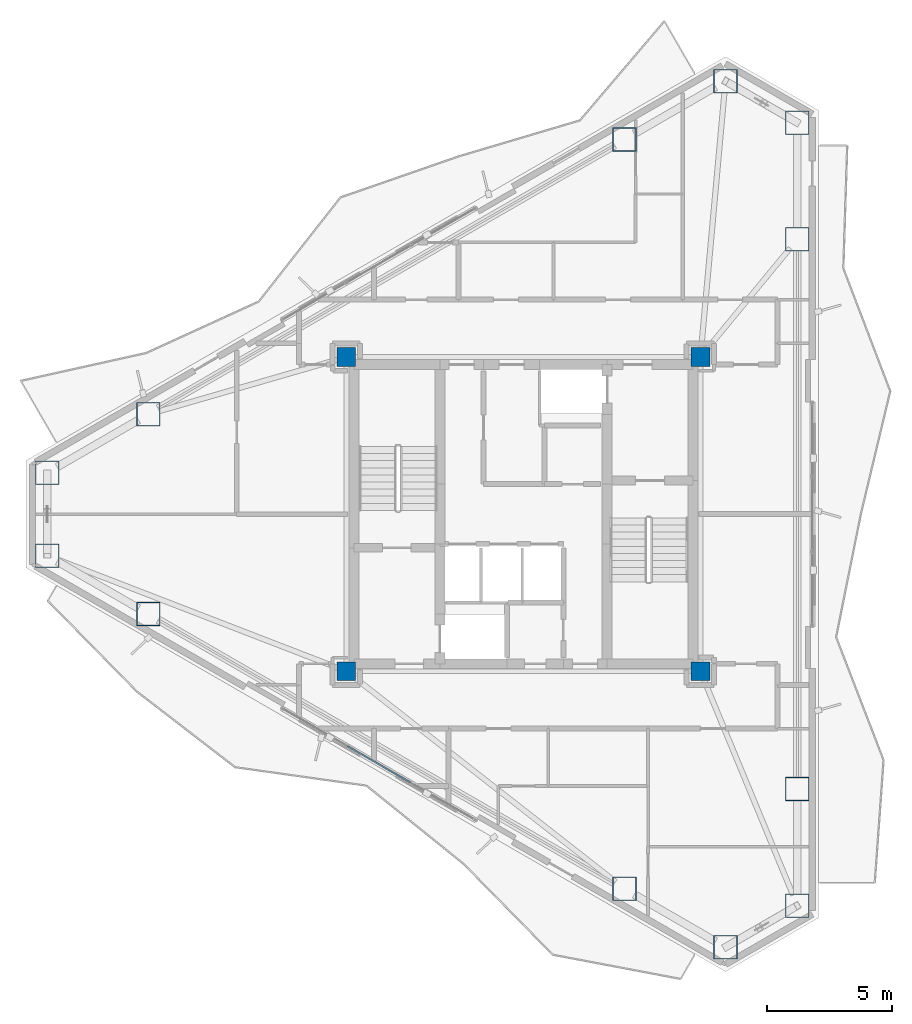
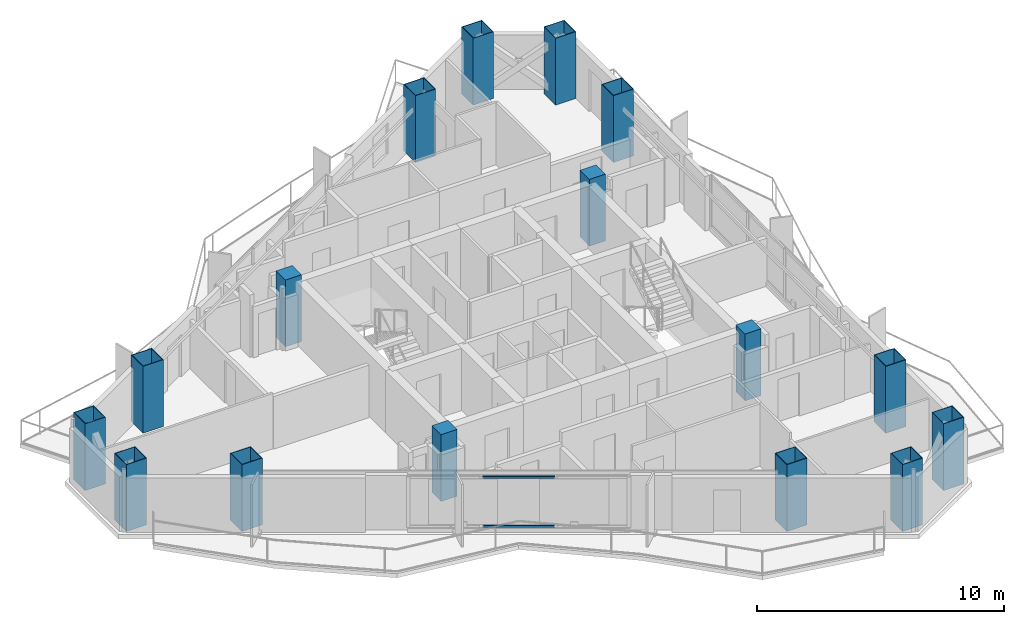
# One storey, part 1 of 21: 16 columns, 2 members, 1 element without a shape of its own.
"""IFC4 building model written with IfcOpenShell, lengths in metres."""

import ifcopenshell
import ifcopenshell.guid

model = None  # the IFC model being written
_history = None  # IfcOwnerHistory: only IFC2X3 demands one
_inside = {}  # id of a spatial element -> (the spatial element, [elements in it])
_under = {}  # id of a project, library or spatial element -> (it, [spatial elements below it])
_declared = {}  # id of a project -> (the project, [libraries it declares])
_typed = {}  # id of a type object -> (the type object, [elements of that type])
_made_of = {}  # id of a material, layer set ... -> (it, [elements and type objects made of it])


def new_model(schema):
    """Start an empty IFC model of exactly this schema.

    Asked for "IFC4X3", IfcOpenShell would pick the latest addendum, in which some entities
    have other attributes; the version numbers below select the first issue.
    IFC2X3 requires an IfcOwnerHistory on every rooted entity: one is made here for all.
    """
    global model, _history
    if schema == "IFC4X3":
        model = ifcopenshell.file(schema_version=(4, 3, 0, 0))
    else:
        model = ifcopenshell.file(schema=schema)
    _inside.clear()
    _under.clear()
    _declared.clear()
    _typed.clear()
    _made_of.clear()
    _history = None
    if model.schema == "IFC2X3":
        org = make("IfcOrganization", Name="unknown")
        user = make(
            "IfcPersonAndOrganization",
            ThePerson=make("IfcPerson", FamilyName="unknown"),
            TheOrganization=org,
        )
        app = make(
            "IfcApplication",
            ApplicationDeveloper=org,
            Version="unknown",
            ApplicationFullName="unknown",
            ApplicationIdentifier="unknown",
        )
        _history = make(
            "IfcOwnerHistory",
            OwningUser=user,
            OwningApplication=app,
            ChangeAction="ADDED",
            CreationDate=0,
        )
    return model


def make(cls, **values):
    """One entity of the class cls with the attributes given. An attribute that is None is left unset."""
    return model.create_entity(
        cls, **{name: value for name, value in values.items() if value is not None}
    )


def rooted(cls, **values):
    """An entity with a GlobalId (a new one), such as an element, a storey or a relation."""
    return make(cls, GlobalId=ifcopenshell.guid.new(), OwnerHistory=_history, **values)


def si_unit(unit_type, name, prefix=None):
    """IfcSIUnit, for example si_unit("LENGTHUNIT", "METRE", prefix="MILLI")."""
    return make("IfcSIUnit", UnitType=unit_type, Prefix=prefix, Name=name)


def assignment(units):
    """IfcUnitAssignment: the units of a project."""
    return None if units is None else make("IfcUnitAssignment", Units=units)


def point(xyz):
    """IfcCartesianPoint."""
    return None if xyz is None else make("IfcCartesianPoint", Coordinates=xyz)


def direction(xyz):
    """IfcDirection."""
    return None if xyz is None else make("IfcDirection", DirectionRatios=xyz)


def frame(location, z_axis=None, x_axis=None):
    """IfcAxis2Placement3D, a coordinate frame: its origin and axes. An axis left out is left unset."""
    return make(
        "IfcAxis2Placement3D",
        Location=point(location),
        Axis=direction(z_axis),
        RefDirection=direction(x_axis),
    )


def frame_2d(location, x_axis=None):
    """IfcAxis2Placement2D, a coordinate frame in the plane: its origin and x axis."""
    return make(
        "IfcAxis2Placement2D", Location=point(location), RefDirection=direction(x_axis)
    )


def origin():
    """The frame at (0, 0, 0) with its axes left unset."""
    return frame((0.0, 0.0, 0.0))


def origin_2d():
    """The frame at (0, 0) in the plane with its x axis left unset."""
    return frame_2d((0.0, 0.0))


def place(relative_to, where):
    """IfcLocalPlacement: puts the frame where relative to a parent placement (None: the world)."""
    return make(
        "IfcLocalPlacement", PlacementRelTo=relative_to, RelativePlacement=where
    )


def context(
    kind, dimensions, precision=None, world=None, true_north=None, identifier=None
):
    """IfcGeometricRepresentationContext, for example the 3D "Model" context."""
    return make(
        "IfcGeometricRepresentationContext",
        ContextIdentifier=identifier,
        ContextType=kind,
        CoordinateSpaceDimension=dimensions,
        Precision=precision,
        WorldCoordinateSystem=world,
        TrueNorth=true_north,
    )


def subcontext(parent, identifier, kind, view, scale=None):
    """IfcGeometricRepresentationSubContext, for example "Body" below "Model"."""
    return make(
        "IfcGeometricRepresentationSubContext",
        ContextIdentifier=identifier,
        ContextType=kind,
        ParentContext=parent,
        TargetScale=scale,
        TargetView=view,
    )


def project(units=None, contexts=None):
    """IfcProject with its units and contexts."""
    return rooted(
        "IfcProject",
        Name="project",
        RepresentationContexts=contexts,
        UnitsInContext=assignment(units),
    )


def spatial(cls, under=None, at=None, **own):
    """A site, building, storey or space (cls), placed at a placement, below another one or the project."""
    s = rooted(cls, ObjectPlacement=at, **own)
    if under is not None:
        _under.setdefault(under.id(), (under, []))[1].append(s)
    return s


def profile(cls, at=None, kind="AREA", **sizes):
    """A parametric profile (cls). Its sizes go by their IFC names, for example OverallWidth=200.0."""
    return make(cls, ProfileType=kind, Position=at, **sizes)


def rectangle(**sizes):
    """IfcRectangleProfileDef."""
    return profile("IfcRectangleProfileDef", **sizes)


def hollow_rectangle(**sizes):
    """IfcRectangleHollowProfileDef."""
    return profile("IfcRectangleHollowProfileDef", **sizes)


def extrude(swept, where, along, depth):
    """IfcExtrudedAreaSolid: the profile swept, set in the frame where, extruded along a direction by depth."""
    return make(
        "IfcExtrudedAreaSolid",
        SweptArea=swept,
        Position=where,
        ExtrudedDirection=direction(along),
        Depth=depth,
    )


def shape(context_of_items, identifier, shape_type, items):
    """IfcShapeRepresentation: the items that make up one representation, for example the "Body"."""
    return make(
        "IfcShapeRepresentation",
        ContextOfItems=context_of_items,
        RepresentationIdentifier=identifier,
        RepresentationType=shape_type,
        Items=items,
    )


def material(Name=None, Category=None):
    """IfcMaterial."""
    return make("IfcMaterial", Name=Name, Category=Category)


def layer(
    of_material, thickness, ventilated=None, Name=None, Category=None, Priority=None
):
    """IfcMaterialLayer: one layer of a wall or slab, of a material (None: an air gap)."""
    return make(
        "IfcMaterialLayer",
        Material=of_material,
        LayerThickness=thickness,
        IsVentilated=ventilated,
        Name=Name,
        Category=Category,
        Priority=Priority,
    )


def layer_set(layers, Name=None):
    """IfcMaterialLayerSet."""
    return make("IfcMaterialLayerSet", MaterialLayers=layers, LayerSetName=Name)


def material_profile(
    of_material, cross_section, Name=None, Category=None, Priority=None
):
    """IfcMaterialProfile: a cross section and its material."""
    return make(
        "IfcMaterialProfile",
        Name=Name,
        Material=of_material,
        Profile=cross_section,
        Priority=Priority,
        Category=Category,
    )


def profile_set(profiles, Name=None, composite=None):
    """IfcMaterialProfileSet."""
    return make(
        "IfcMaterialProfileSet",
        Name=Name,
        MaterialProfiles=profiles,
        CompositeProfile=composite,
    )


def made_of(thing, what):
    """Note that an element or type object is made of a material, layer set ...; save() writes the relation."""
    if what is not None:
        _made_of.setdefault(what.id(), (what, []))[1].append(thing)
    return thing


def type_object(cls, material=None, **own):
    """A type object (cls), such as IfcWallType, which elements share."""
    return made_of(rooted(cls, **own), material)


def element(
    cls,
    number,
    at=None,
    inside=None,
    cuts=None,
    type_object=None,
    material=None,
    context=None,
    identifier="Body",
    shape_type=None,
    held_by="IfcProductDefinitionShape",
    body=None,
    shapes=None,
    **own,
):
    """One element of the class cls, such as IfcWall. Its Tag is "e" and its number.

    at: its placement. inside: the storey or other place that contains it. cuts: it is an
    opening in that element (IfcRelVoidsElement). A single representation is given by context,
    identifier, shape_type and body (its items); several are given by shapes. held_by: the class
    of the entity that holds the representations. save() writes the other relations.
    """
    e = rooted(cls, Tag="e%d" % number, ObjectPlacement=at, **own)
    if body is not None:
        shapes = [shape(context, identifier, shape_type, body)]
    if shapes is not None:
        e.Representation = make(held_by, Representations=shapes)
    if inside is not None:
        _inside.setdefault(inside.id(), (inside, []))[1].append(e)
    if cuts is not None:
        rooted(
            "IfcRelVoidsElement", RelatingBuildingElement=cuts, RelatedOpeningElement=e
        )
    if type_object is not None:
        _typed.setdefault(type_object.id(), (type_object, []))[1].append(e)
    return made_of(e, material)


def aggregate(whole, parts):
    """IfcRelAggregates: a whole, such as a stair, and the parts it consists of."""
    return rooted("IfcRelAggregates", RelatingObject=whole, RelatedObjects=parts)


def save(model, path):
    """Write the relations noted so far, then the file.

    IfcRelAggregates (storeys below a building ...), IfcRelContainedInSpatialStructure (elements
    in a storey), IfcRelDefinesByType, IfcRelAssociatesMaterial and IfcRelDeclares: one each for
    every whole, place, type object, material and project.
    """
    for whole, parts in _under.values():
        aggregate(whole, parts)
    for where, things in _inside.values():
        rooted(
            "IfcRelContainedInSpatialStructure",
            RelatedElements=things,
            RelatingStructure=where,
        )
    for kind, things in _typed.values():
        rooted("IfcRelDefinesByType", RelatedObjects=things, RelatingType=kind)
    for what, things in _made_of.values():
        rooted("IfcRelAssociatesMaterial", RelatedObjects=things, RelatingMaterial=what)
    for by, libraries in _declared.values():
        rooted("IfcRelDeclares", RelatingContext=by, RelatedDefinitions=libraries)
    model.write(path)


model = new_model("IFC4")

# Units and contexts
model_context = context("Model", 3, precision=1e-05, world=origin(), true_north=direction((0.0, 1.0)))
body_context = subcontext(model_context, "Body", "Model", "MODEL_VIEW")
ifc_project = project(units=[si_unit("LENGTHUNIT", "METRE"), si_unit("AREAUNIT", "SQUARE_METRE"), si_unit("VOLUMEUNIT", "CUBIC_METRE"), si_unit("PLANEANGLEUNIT", "RADIAN"), si_unit("MASSUNIT", "GRAM", prefix="KILO")], contexts=[model_context])

# Site, building, storey
site_placement = place(None, origin())
site = spatial("IfcSite", under=ifc_project, at=site_placement, CompositionType="ELEMENT")
building_placement = place(site_placement, origin())
building = spatial("IfcBuilding", under=site, at=building_placement, Name="Mersakhor Tower and Convention Hall", CompositionType="ELEMENT")
storey_placement = place(building_placement, frame((0.0, 0.0, 182.10009765625)))
storey = spatial("IfcBuildingStorey", under=building, at=storey_placement, Name="L50", CompositionType="ELEMENT", Elevation=182.10009765625)

# Columns
ifc_material_1 = material(Name="Concrete C60/75 in S460M steel box", Category="concrete")
ifc_material_profile_1 = material_profile(ifc_material_1, hollow_rectangle(XDim=0.949951171875, YDim=0.949951171875, WallThickness=0.028076171875, at=origin_2d()), Name="SHS 950x950x28")
ifc_profile_set_1 = profile_set([ifc_material_profile_1], Name="Concrete C60/75 in S460M steel box")
column_type_1 = type_object("IfcColumnType", Name="COL-CFT-950", PredefinedType="COLUMN", material=ifc_profile_set_1)
for number, where, z_axis, x_axis, name in (
    (1, (9.907470703125, 28.415283203125, 0.0), (0.0, 0.0, 1.0), (1.0, 0.0, 0.0), "L50 Perimeter Mega-Column MC-01"),
    (2, (13.959716796875, 30.7548828125, 0.0), (0.0, 0.0, 1.0), (1.0, 0.0, 0.0), "L50 Perimeter Mega-Column MC-02"),
    (3, (33.0517578125, 41.777587890625, 0.0), (0.0, 0.0, 1.0), (1.0, 0.0, 0.0), "L50 Perimeter Mega-Column MC-03"),
    (4, (37.10400390625, 44.1171875, 0.0), (0.0, 0.0, 1.0), (1.0, 0.0, 0.0), "L50 Perimeter Mega-Column MC-04"),
    (5, (39.98828125, 42.451904296875, 0.0), (0.0, 0.0, 1.0), (1.0, 0.0, 0.0), "L50 Perimeter Mega-Column MC-05"),
    (6, (39.98828125, 37.772705078125, 0.0), (0.0, 0.0, 1.0), (1.0, 0.0, 0.0), "L50 Perimeter Mega-Column MC-06"),
    (7, (39.98828125, 15.727294921875, 0.0), (0.0, 0.0, 1.0), (1.0, 0.0, 0.0), "L50 Perimeter Mega-Column MC-07"),
    (8, (39.98828125, 11.048095703125, 0.0), (0.0, 0.0, 1.0), (1.0, 0.0, 0.0), "L50 Perimeter Mega-Column MC-08"),
    (9, (37.10400390625, 9.3828125, 0.0), (0.0, 0.0, 1.0), (1.0, 0.0, 0.0), "L50 Perimeter Mega-Column MC-09"),
    (10, (33.0517578125, 11.722412109375, 0.0), (0.0, 0.0, 1.0), (1.0, 0.0, 0.0), "L50 Perimeter Mega-Column MC-10"),
    (11, (13.959716796875, 22.7451171875, 0.0), (0.0, 0.0, 1.0), (1.0, 0.0, 0.0), "L50 Perimeter Mega-Column MC-11"),
    (12, (9.907470703125, 25.084716796875, 0.0), (0.0, 0.0, 1.0), (1.0, 0.0, 0.0), "L50 Perimeter Mega-Column MC-12"),
):
    element("IfcColumn", number, at=place(storey_placement, frame(where, z_axis=z_axis, x_axis=x_axis)), inside=storey, type_object=column_type_1, Name=name, PredefinedType="COLUMN", context=body_context, shape_type="SweptSolid", body=[
        extrude(hollow_rectangle(XDim=0.949951171875, YDim=0.949951171875, WallThickness=0.028076171875, at=origin_2d()), origin(), (0.0, 0.0, 1.0), 3.2998046875),
    ])
ifc_material_2 = material(Name="Concrete C50/60", Category="concrete")
ifc_material_profile_2 = material_profile(ifc_material_2, rectangle(XDim=0.75, YDim=0.75, at=origin_2d()), Name="RC 750x750")
ifc_profile_set_2 = profile_set([ifc_material_profile_2], Name="Concrete C50/60")
column_type_2 = type_object("IfcColumnType", Name="COL-RC-750", PredefinedType="COLUMN", material=ifc_profile_set_2)
for number, where, z_axis, x_axis, name in (
    (13, (21.89990234375, 20.449951171875, 0.0), (0.0, 0.0, 1.0), (1.0, 0.0, 0.0), "L50 Core Corner Column CC-1"),
    (14, (21.89990234375, 33.050048828125, 0.0), (0.0, 0.0, 1.0), (1.0, 0.0, 0.0), "L50 Core Corner Column CC-2"),
    (15, (36.10009765625, 33.050048828125, 0.0), (0.0, 0.0, 1.0), (1.0, 0.0, 0.0), "L50 Core Corner Column CC-3"),
    (16, (36.10009765625, 20.449951171875, 0.0), (0.0, 0.0, 1.0), (1.0, 0.0, 0.0), "L50 Core Corner Column CC-4"),
):
    element("IfcColumn", number, at=place(storey_placement, frame(where, z_axis=z_axis, x_axis=x_axis)), inside=storey, type_object=column_type_2, Name=name, PredefinedType="COLUMN", context=body_context, shape_type="SweptSolid", body=[
        extrude(rectangle(XDim=0.75, YDim=0.75, at=origin_2d()), origin(), (0.0, 0.0, 1.0), 3.2998046875),
    ])

# Curtain wall, members
ifc_material_3 = material(Name="Dark solar low-E aluminium curtain wall", Category="aluminium")
ifc_layer = layer(ifc_material_3, 0.169921875)
ifc_layer_set = layer_set([ifc_layer], Name="Dark solar low-E aluminium curtain wall")
curtain_wall_type = type_object("IfcCurtainWallType", Name="CW-SYS-02", PredefinedType="USERDEFINED", material=ifc_layer_set)
curtain_wall_placement = place(storey_placement, origin())
curtain_wall = element("IfcCurtainWall", 17, at=curtain_wall_placement, inside=storey, type_object=curtain_wall_type, Name="L50 Dark-Glass Curtain Wall F3-B2", ObjectType="CURTAIN WALL", PredefinedType="USERDEFINED")
ifc_material_4 = material(Name="Anodised aluminium EN AW-6063 T6", Category="aluminium")
ifc_material_profile_3 = material_profile(ifc_material_4, hollow_rectangle(XDim=0.06005859375, YDim=0.1201171875, WallThickness=0.0048828125, at=origin_2d()), Name="RHS 120x60x5")
ifc_profile_set_3 = profile_set([ifc_material_profile_3], Name="Anodised aluminium EN AW-6063 T6")
member_type = type_object("IfcMemberType", Name="CWT-120x60", PredefinedType="USERDEFINED", material=ifc_profile_set_3)
member_1_placement = place(storey_placement, frame((24.47216796875, 15.98291015625, 0.22998046875), z_axis=(-0.866004860328, 0.500035580622, 0.0), x_axis=(-0.500035580622, -0.866004860328, 0.0)))
member_1 = element("IfcMember", 18, at=member_1_placement, type_object=member_type, Name="CW-02 transom 2.1", ObjectType="TRANSOM", PredefinedType="USERDEFINED", context=body_context, shape_type="SweptSolid", body=[
    extrude(hollow_rectangle(XDim=0.06005859375, YDim=0.1201171875, WallThickness=0.0048828125, at=origin_2d()), origin(), (0.0, 0.0, 1.0), 2.924560546875),
])
member_2_placement = place(storey_placement, frame((24.47216796875, 15.98291015625, 2.659912109375), z_axis=(-0.866004860328, 0.500035580622, 0.0), x_axis=(-0.500035580622, -0.866004860328, 0.0)))
member_2 = element("IfcMember", 19, at=member_2_placement, type_object=member_type, Name="CW-02 transom 2.2", ObjectType="TRANSOM", PredefinedType="USERDEFINED", context=body_context, shape_type="SweptSolid", body=[
    extrude(hollow_rectangle(XDim=0.06005859375, YDim=0.1201171875, WallThickness=0.0048828125, at=origin_2d()), origin(), (0.0, 0.0, 1.0), 2.924560546875),
])
aggregate(curtain_wall, [member_1, member_2])

save(model, "model.ifc")
